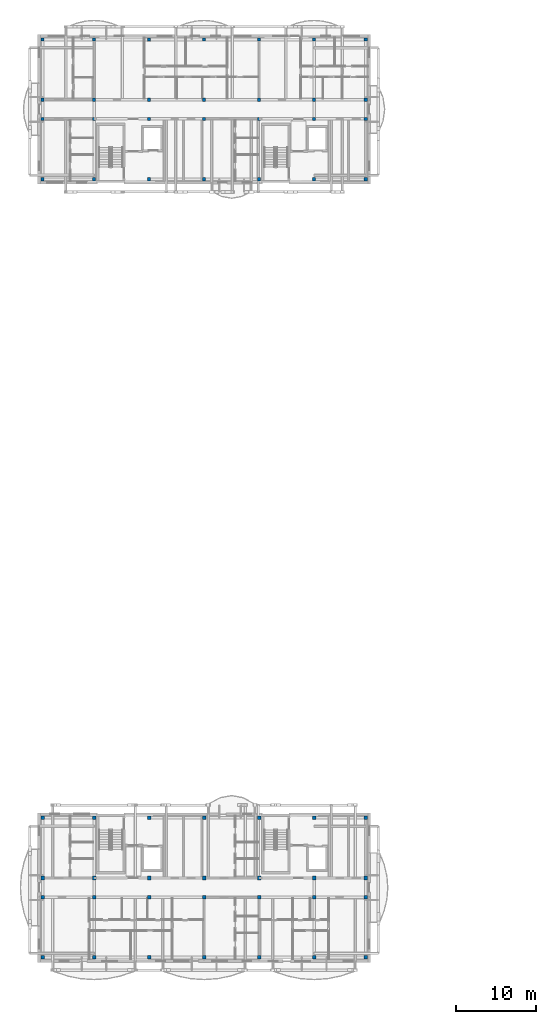
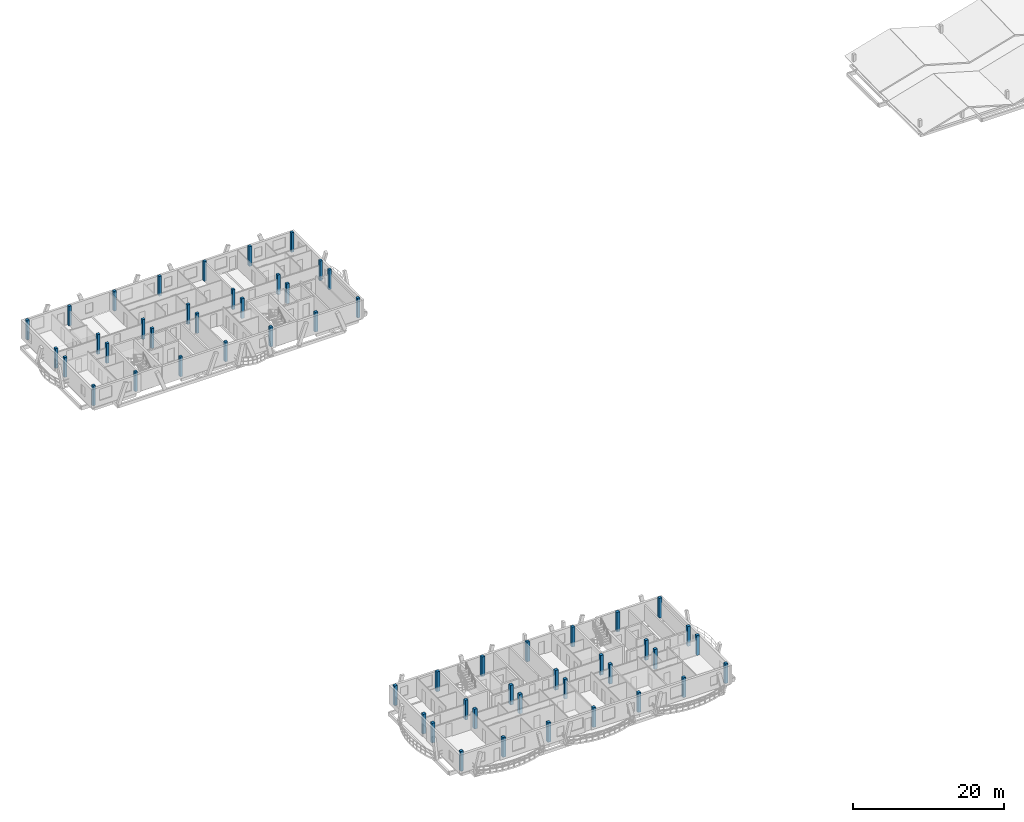
# One storey, part 1 of 21: 56 columns.
"""IFC4 building model written with IfcOpenShell, lengths in metres."""

from ifc_helpers import new_model, si_unit, direction, frame, origin, origin_2d, place, context, subcontext, project, spatial, rectangle, extrude, material, material_profile, profile_set, type_object, element, save


model = new_model("IFC4")

# Units and contexts
model_context = context("Model", 3, precision=1e-05, world=origin(), true_north=direction((0.0, 1.0)))
body_context = subcontext(model_context, "Body", "Model", "MODEL_VIEW")
ifc_project = project(units=[si_unit("LENGTHUNIT", "METRE"), si_unit("AREAUNIT", "SQUARE_METRE"), si_unit("VOLUMEUNIT", "CUBIC_METRE"), si_unit("PLANEANGLEUNIT", "RADIAN"), si_unit("MASSUNIT", "GRAM", prefix="KILO")], contexts=[model_context])

# Site, building, storey
site_placement = place(None, origin())
site = spatial("IfcSite", under=ifc_project, at=site_placement, CompositionType="ELEMENT")
building_placement = place(site_placement, origin())
building = spatial("IfcBuilding", under=site, at=building_placement, Name="Zavelmont Quarter", CompositionType="ELEMENT")
storey_placement = place(building_placement, frame((0.0, 0.0, 36.800048828125)))
storey = spatial("IfcBuildingStorey", under=building, at=storey_placement, Name="L11", CompositionType="ELEMENT", Elevation=36.800048828125)

# Columns
ifc_material = material(Name="Concrete C35/45", Category="concrete")
ifc_material_profile_1 = material_profile(ifc_material, rectangle(XDim=0.449951171875, YDim=0.449951171875, at=origin_2d()), Name="RC450X450")
ifc_profile_set_1 = profile_set([ifc_material_profile_1], Name="Concrete C35/45")
column_type_1 = type_object("IfcColumnType", Name="CL04", PredefinedType="COLUMN", material=ifc_profile_set_1)
for number, where, z_axis, x_axis, name in (
    (1, (0.43994140625, 0.43994140625, 0.0), (0.0, 0.0, 1.0), (1.0, 0.0, 0.0), "L11 column CL04 at 1/A"),
    (2, (0.43994140625, 8.0, 0.0), (0.0, 0.0, 1.0), (1.0, 0.0, 0.0), "L11 column CL04 at 1/B"),
    (3, (0.43994140625, 10.39990234375, 0.0), (0.0, 0.0, 1.0), (1.0, 0.0, 0.0), "L11 column CL04 at 1/C"),
    (4, (0.43994140625, 17.9599609375, 0.0), (0.0, 0.0, 1.0), (1.0, 0.0, 0.0), "L11 column CL04 at 1/D"),
    (5, (6.89990234375, 0.43994140625, 0.0), (0.0, 0.0, 1.0), (1.0, 0.0, 0.0), "L11 column CL04 at 2/A"),
    (6, (6.89990234375, 8.0, 0.0), (0.0, 0.0, 1.0), (1.0, 0.0, 0.0), "L11 column CL04 at 2/B"),
    (7, (6.89990234375, 10.39990234375, 0.0), (0.0, 0.0, 1.0), (1.0, 0.0, 0.0), "L11 column CL04 at 2/C"),
    (8, (6.89990234375, 17.9599609375, 0.0), (0.0, 0.0, 1.0), (1.0, 0.0, 0.0), "L11 column CL04 at 2/D"),
    (9, (13.800048828125, 0.43994140625, 0.0), (0.0, 0.0, 1.0), (1.0, 0.0, 0.0), "L11 column CL04 at 3/A"),
    (10, (13.800048828125, 8.0, 0.0), (0.0, 0.0, 1.0), (1.0, 0.0, 0.0), "L11 column CL04 at 3/B"),
    (11, (13.800048828125, 10.39990234375, 0.0), (0.0, 0.0, 1.0), (1.0, 0.0, 0.0), "L11 column CL04 at 3/C"),
    (12, (13.800048828125, 17.9599609375, 0.0), (0.0, 0.0, 1.0), (1.0, 0.0, 0.0), "L11 column CL04 at 3/D"),
    (13, (20.699951171875, 0.43994140625, 0.0), (0.0, 0.0, 1.0), (1.0, 0.0, 0.0), "L11 column CL04 at 4/A"),
    (14, (20.699951171875, 8.0, 0.0), (0.0, 0.0, 1.0), (1.0, 0.0, 0.0), "L11 column CL04 at 4/B"),
    (15, (20.699951171875, 10.39990234375, 0.0), (0.0, 0.0, 1.0), (1.0, 0.0, 0.0), "L11 column CL04 at 4/C"),
    (16, (20.699951171875, 17.9599609375, 0.0), (0.0, 0.0, 1.0), (1.0, 0.0, 0.0), "L11 column CL04 at 4/D"),
    (17, (27.60009765625, 0.43994140625, 0.0), (0.0, 0.0, 1.0), (1.0, 0.0, 0.0), "L11 column CL04 at 5/A"),
    (18, (27.60009765625, 8.0, 0.0), (0.0, 0.0, 1.0), (1.0, 0.0, 0.0), "L11 column CL04 at 5/B"),
    (19, (27.60009765625, 10.39990234375, 0.0), (0.0, 0.0, 1.0), (1.0, 0.0, 0.0), "L11 column CL04 at 5/C"),
    (20, (27.60009765625, 17.9599609375, 0.0), (0.0, 0.0, 1.0), (1.0, 0.0, 0.0), "L11 column CL04 at 5/D"),
    (21, (34.5, 0.43994140625, 0.0), (0.0, 0.0, 1.0), (1.0, 0.0, 0.0), "L11 column CL04 at 6/A"),
    (22, (34.5, 8.0, 0.0), (0.0, 0.0, 1.0), (1.0, 0.0, 0.0), "L11 column CL04 at 6/B"),
    (23, (34.5, 10.39990234375, 0.0), (0.0, 0.0, 1.0), (1.0, 0.0, 0.0), "L11 column CL04 at 6/C"),
    (24, (34.5, 17.9599609375, 0.0), (0.0, 0.0, 1.0), (1.0, 0.0, 0.0), "L11 column CL04 at 6/D"),
    (25, (40.9599609375, 0.43994140625, 0.0), (0.0, 0.0, 1.0), (1.0, 0.0, 0.0), "L11 column CL04 at 7/A"),
    (26, (40.9599609375, 8.0, 0.0), (0.0, 0.0, 1.0), (1.0, 0.0, 0.0), "L11 column CL04 at 7/B"),
    (27, (40.9599609375, 10.39990234375, 0.0), (0.0, 0.0, 1.0), (1.0, 0.0, 0.0), "L11 column CL04 at 7/C"),
    (28, (40.9599609375, 17.9599609375, 0.0), (0.0, 0.0, 1.0), (1.0, 0.0, 0.0), "L11 column CL04 at 7/D"),
):
    element("IfcColumn", number, at=place(storey_placement, frame(where, z_axis=z_axis, x_axis=x_axis)), inside=storey, type_object=column_type_1, Name=name, PredefinedType="COLUMN", context=body_context, shape_type="SweptSolid", body=[
        extrude(rectangle(XDim=0.449951171875, YDim=0.449951171875, at=origin_2d()), origin(), (0.0, 0.0, 1.0), 3.199951171875),
    ])
ifc_material_profile_2 = material_profile(ifc_material, rectangle(XDim=0.39990234375, YDim=0.39990234375, at=origin_2d()), Name="RC400X400")
ifc_profile_set_2 = profile_set([ifc_material_profile_2], Name="Concrete C35/45")
column_type_2 = type_object("IfcColumnType", Name="CL05", PredefinedType="COLUMN", material=ifc_profile_set_2)
for number, where, z_axis, x_axis, name in (
    (29, (0.43994140625, 98.0400390625, 0.0), (0.0, 0.0, 1.0), (1.0, 0.0, 0.0), "L11 column CL05 at 1/P"),
    (30, (0.43994140625, 105.60009765625, 0.0), (0.0, 0.0, 1.0), (1.0, 0.0, 0.0), "L11 column CL05 at 1/Q"),
    (31, (0.43994140625, 108.0, 0.0), (0.0, 0.0, 1.0), (1.0, 0.0, 0.0), "L11 column CL05 at 1/R"),
    (32, (0.43994140625, 115.56005859375, 0.0), (0.0, 0.0, 1.0), (1.0, 0.0, 0.0), "L11 column CL05 at 1/S"),
    (33, (6.89990234375, 98.0400390625, 0.0), (0.0, 0.0, 1.0), (1.0, 0.0, 0.0), "L11 column CL05 at 2/P"),
    (34, (6.89990234375, 105.60009765625, 0.0), (0.0, 0.0, 1.0), (1.0, 0.0, 0.0), "L11 column CL05 at 2/Q"),
    (35, (6.89990234375, 108.0, 0.0), (0.0, 0.0, 1.0), (1.0, 0.0, 0.0), "L11 column CL05 at 2/R"),
    (36, (6.89990234375, 115.56005859375, 0.0), (0.0, 0.0, 1.0), (1.0, 0.0, 0.0), "L11 column CL05 at 2/S"),
    (37, (13.800048828125, 98.0400390625, 0.0), (0.0, 0.0, 1.0), (1.0, 0.0, 0.0), "L11 column CL05 at 3/P"),
    (38, (13.800048828125, 105.60009765625, 0.0), (0.0, 0.0, 1.0), (1.0, 0.0, 0.0), "L11 column CL05 at 3/Q"),
    (39, (13.800048828125, 108.0, 0.0), (0.0, 0.0, 1.0), (1.0, 0.0, 0.0), "L11 column CL05 at 3/R"),
    (40, (13.800048828125, 115.56005859375, 0.0), (0.0, 0.0, 1.0), (1.0, 0.0, 0.0), "L11 column CL05 at 3/S"),
    (41, (20.699951171875, 98.0400390625, 0.0), (0.0, 0.0, 1.0), (1.0, 0.0, 0.0), "L11 column CL05 at 4/P"),
    (42, (20.699951171875, 105.60009765625, 0.0), (0.0, 0.0, 1.0), (1.0, 0.0, 0.0), "L11 column CL05 at 4/Q"),
    (43, (20.699951171875, 108.0, 0.0), (0.0, 0.0, 1.0), (1.0, 0.0, 0.0), "L11 column CL05 at 4/R"),
    (44, (20.699951171875, 115.56005859375, 0.0), (0.0, 0.0, 1.0), (1.0, 0.0, 0.0), "L11 column CL05 at 4/S"),
    (45, (27.60009765625, 98.0400390625, 0.0), (0.0, 0.0, 1.0), (1.0, 0.0, 0.0), "L11 column CL05 at 5/P"),
    (46, (27.60009765625, 105.60009765625, 0.0), (0.0, 0.0, 1.0), (1.0, 0.0, 0.0), "L11 column CL05 at 5/Q"),
    (47, (27.60009765625, 108.0, 0.0), (0.0, 0.0, 1.0), (1.0, 0.0, 0.0), "L11 column CL05 at 5/R"),
    (48, (27.60009765625, 115.56005859375, 0.0), (0.0, 0.0, 1.0), (1.0, 0.0, 0.0), "L11 column CL05 at 5/S"),
    (49, (34.5, 98.0400390625, 0.0), (0.0, 0.0, 1.0), (1.0, 0.0, 0.0), "L11 column CL05 at 6/P"),
    (50, (34.5, 105.60009765625, 0.0), (0.0, 0.0, 1.0), (1.0, 0.0, 0.0), "L11 column CL05 at 6/Q"),
    (51, (34.5, 108.0, 0.0), (0.0, 0.0, 1.0), (1.0, 0.0, 0.0), "L11 column CL05 at 6/R"),
    (52, (34.5, 115.56005859375, 0.0), (0.0, 0.0, 1.0), (1.0, 0.0, 0.0), "L11 column CL05 at 6/S"),
    (53, (40.9599609375, 98.0400390625, 0.0), (0.0, 0.0, 1.0), (1.0, 0.0, 0.0), "L11 column CL05 at 7/P"),
    (54, (40.9599609375, 105.60009765625, 0.0), (0.0, 0.0, 1.0), (1.0, 0.0, 0.0), "L11 column CL05 at 7/Q"),
    (55, (40.9599609375, 108.0, 0.0), (0.0, 0.0, 1.0), (1.0, 0.0, 0.0), "L11 column CL05 at 7/R"),
    (56, (40.9599609375, 115.56005859375, 0.0), (0.0, 0.0, 1.0), (1.0, 0.0, 0.0), "L11 column CL05 at 7/S"),
):
    element("IfcColumn", number, at=place(storey_placement, frame(where, z_axis=z_axis, x_axis=x_axis)), inside=storey, type_object=column_type_2, Name=name, PredefinedType="COLUMN", context=body_context, shape_type="SweptSolid", body=[
        extrude(rectangle(XDim=0.39990234375, YDim=0.39990234375, at=origin_2d()), origin(), (0.0, 0.0, 1.0), 3.199951171875),
    ])

save(model, "model.ifc")
